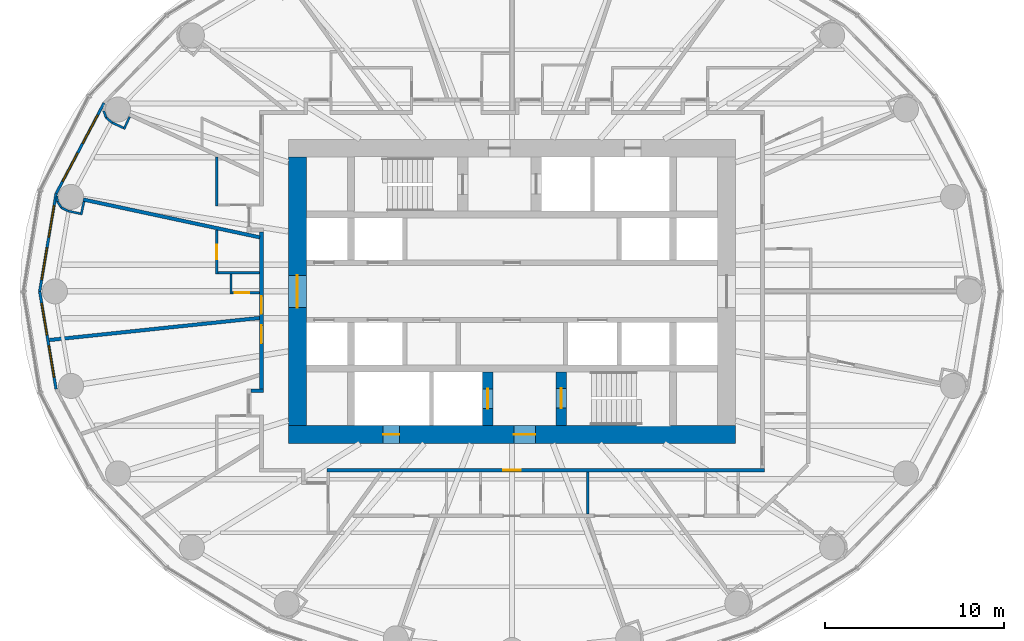
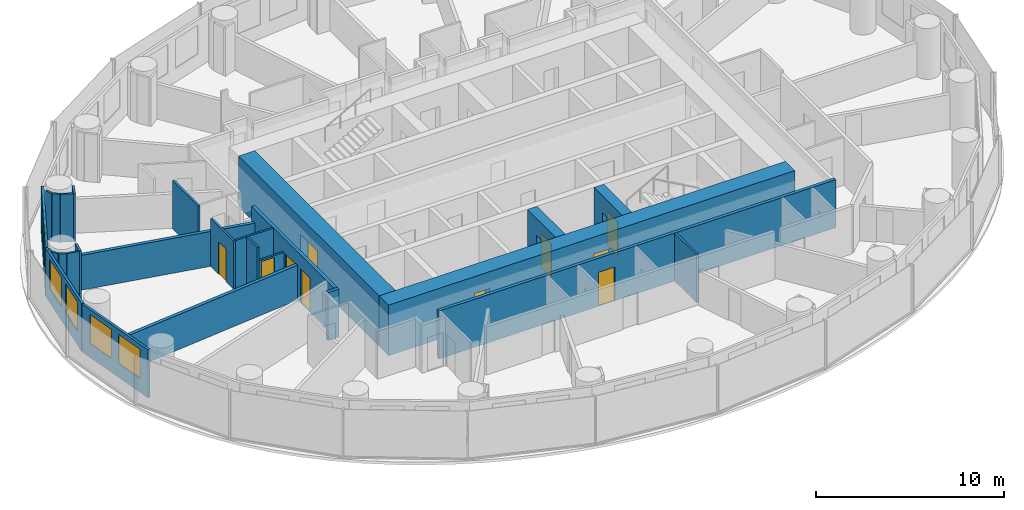
# One storey, part 7 of 14: 27 walls, 10 doors, 6 windows, 16 openings.
"""IFC4 building model written with IfcOpenShell, lengths in metres."""

from ifc_helpers import new_model, si_unit, direction, frame, frame_2d, origin, place, context, subcontext, project, spatial, rectangle, extrude, material, layer, layer_set, type_object, element, fill, save


model = new_model("IFC4")

# Units and contexts
model_context = context("Model", 3, precision=1e-05, world=origin(), true_north=direction((0.0, 1.0)))
body_context = subcontext(model_context, "Body", "Model", "MODEL_VIEW")
ifc_project = project(units=[si_unit("LENGTHUNIT", "METRE"), si_unit("AREAUNIT", "SQUARE_METRE"), si_unit("VOLUMEUNIT", "CUBIC_METRE"), si_unit("PLANEANGLEUNIT", "RADIAN"), si_unit("MASSUNIT", "GRAM", prefix="KILO")], contexts=[model_context])

# Site, building, storey
site_placement = place(None, origin())
site = spatial("IfcSite", under=ifc_project, at=site_placement, CompositionType="ELEMENT")
building_placement = place(site_placement, origin())
building = spatial("IfcBuilding", under=site, at=building_placement, Name="Hankou Lantern Tower", CompositionType="ELEMENT")
storey_placement = place(building_placement, frame((0.0, 0.0, 87.0)))
storey = spatial("IfcBuildingStorey", under=building, at=storey_placement, Name="L22", CompositionType="ELEMENT", Elevation=87.0)

# Wall, openings, doors
ifc_material_1 = material(Name="Concrete C60", Category="concrete")
ifc_layer_1 = layer(ifc_material_1, 1.0)
ifc_layer_set_1 = layer_set([ifc_layer_1], Name="Concrete C60")
wall_type_1 = type_object("IfcWallType", Name="CW1 CORE WALL 1000", PredefinedType="SHEAR", material=ifc_layer_set_1)
wall_1_placement = place(storey_placement, frame((12.5, -8.0, 0.0), z_axis=(0.0, 0.0, 1.0), x_axis=(-1.0, 0.0, 0.0)))
wall_1 = element("IfcWall", 1, at=wall_1_placement, inside=storey, type_object=wall_type_1, Name="Core wall south L22", PredefinedType="SHEAR", context=body_context, shape_type="SweptSolid", body=[
    extrude(rectangle(XDim=25.0, YDim=1.0, at=frame_2d((12.5, 0.0))), origin(), (0.0, 0.0, 1.0), 3.300048828125),
])
opening_1_placement = place(wall_1_placement, frame((11.199951171875, 0.0, 0.0)))
opening_1 = element("IfcOpeningElement", 2, at=opening_1_placement, cuts=wall_1, Name="Opening D5", PredefinedType="OPENING", context=body_context, shape_type="SweptSolid", body=[
    extrude(rectangle(XDim=1.199951171875, YDim=2.199951171875, at=frame_2d((0.60009765625, 1.10009765625))), frame((0.0, 0.510009765625, 0.0), z_axis=(0.0, -1.0, 0.0), x_axis=(1.0, 0.0, 0.0)), (0.0, 0.0, 1.0), 1.02001953125),
])
opening_2_placement = place(wall_1_placement, frame((18.800048828125, 0.0, 0.0)))
opening_2 = element("IfcOpeningElement", 3, at=opening_2_placement, cuts=wall_1, Name="Opening D7", PredefinedType="OPENING", context=body_context, shape_type="SweptSolid", body=[
    extrude(rectangle(XDim=0.89990234375, YDim=2.199951171875, at=frame_2d((0.449951171875, 1.10009765625))), frame((0.0, 0.510009765625, 0.0), z_axis=(0.0, -1.0, 0.0), x_axis=(1.0, 0.0, 0.0)), (0.0, 0.0, 1.0), 1.02001953125),
])
ifc_material_2 = material(Name="Steel door leaf", Category="steel")
door_type_1 = type_object("IfcDoorType", Name="D5 STAIR LOBBY DOOR 1200X2200", OperationType="SINGLE_SWING_LEFT", PredefinedType="DOOR", material=ifc_material_2)
door_1_placement = place(opening_1_placement, origin())
door_1 = element("IfcDoor", 4, at=door_1_placement, inside=storey, type_object=door_type_1, Name="Stair B lobby door", OperationType="SINGLE_SWING_LEFT", OverallHeight=2.199951171875, OverallWidth=1.199951171875, PredefinedType="DOOR", context=body_context, shape_type="SweptSolid", body=[
    extrude(rectangle(XDim=1.199951171875, YDim=2.199951171875, at=frame_2d((0.60009765625, 1.10009765625))), frame((0.0, 0.02490234375, 0.0), z_axis=(0.0, -1.0, 0.0), x_axis=(1.0, 0.0, 0.0)), (0.0, 0.0, 1.0), 0.050048828125),
])
fill(opening_1, door_1)
ifc_material_3 = material(Name="Steel door leaf", Category="steel")
door_type_2 = type_object("IfcDoorType", Name="D7 RISER DOOR 900X2200", OperationType="SINGLE_SWING_LEFT", PredefinedType="DOOR", material=ifc_material_3)
door_2_placement = place(opening_2_placement, origin())
door_2 = element("IfcDoor", 5, at=door_2_placement, inside=storey, type_object=door_type_2, Name="Riser S1 door", OperationType="SINGLE_SWING_RIGHT", OverallHeight=2.199951171875, OverallWidth=0.89990234375, PredefinedType="DOOR", context=body_context, shape_type="SweptSolid", body=[
    extrude(rectangle(XDim=0.89990234375, YDim=2.199951171875, at=frame_2d((0.449951171875, 1.10009765625))), frame((0.0, 0.02490234375, 0.0), z_axis=(0.0, -1.0, 0.0), x_axis=(1.0, 0.0, 0.0)), (0.0, 0.0, 1.0), 0.050048828125),
])
fill(opening_2, door_2)

# Wall, opening, door
wall_2_placement = place(storey_placement, frame((-12.0, 7.5, 0.0), z_axis=(0.0, 0.0, 1.0), x_axis=(0.0, -1.0, 0.0)))
wall_2 = element("IfcWall", 6, at=wall_2_placement, inside=storey, type_object=wall_type_1, Name="Core wall west L22", PredefinedType="SHEAR", context=body_context, shape_type="SweptSolid", body=[
    extrude(rectangle(XDim=15.0, YDim=1.0, at=frame_2d((7.5, 0.0))), origin(), (0.0, 0.0, 1.0), 3.300048828125),
])
opening_3_placement = place(wall_2_placement, frame((6.60009765625, 0.0, 0.0)))
opening_3 = element("IfcOpeningElement", 7, at=opening_3_placement, cuts=wall_2, Name="Opening D6", PredefinedType="OPENING", context=body_context, shape_type="SweptSolid", body=[
    extrude(rectangle(XDim=1.800048828125, YDim=2.199951171875, at=frame_2d((0.89990234375, 1.10009765625))), frame((0.0, 0.510009765625, 0.0), z_axis=(0.0, -1.0, 0.0), x_axis=(1.0, 0.0, 0.0)), (0.0, 0.0, 1.0), 1.02001953125),
])
ifc_material_4 = material(Name="Steel door leaf", Category="steel")
door_type_3 = type_object("IfcDoorType", Name="D6 LIFT LOBBY DOOR 1800X2200", OperationType="DOUBLE_DOOR_DOUBLE_SWING", PredefinedType="DOOR", material=ifc_material_4)
door_3_placement = place(opening_3_placement, origin())
door_3 = element("IfcDoor", 8, at=door_3_placement, inside=storey, type_object=door_type_3, Name="Lift lobby west door", OperationType="DOUBLE_DOOR_DOUBLE_SWING", OverallHeight=2.199951171875, OverallWidth=1.800048828125, PredefinedType="DOOR", context=body_context, shape_type="SweptSolid", body=[
    extrude(rectangle(XDim=1.800048828125, YDim=2.199951171875, at=frame_2d((0.89990234375, 1.10009765625))), frame((0.0, 0.02490234375, 0.0), z_axis=(0.0, -1.0, 0.0), x_axis=(1.0, 0.0, 0.0)), (0.0, 0.0, 1.0), 0.050048828125),
])
fill(opening_3, door_3)

ifc_material_5 = material(Name="Concrete C60", Category="concrete")
ifc_layer_2 = layer(ifc_material_5, 0.60009765625)
ifc_layer_set_2 = layer_set([ifc_layer_2], Name="Concrete C60")
wall_type_2 = type_object("IfcWallType", Name="CW6 STAIR AND SHAFT WALL 600", PredefinedType="SHEAR", material=ifc_layer_set_2)
wall_3_placement = place(storey_placement, frame((2.75, -7.5, 0.0), z_axis=(0.0, 0.0, 1.0), x_axis=(0.0, 1.0, 0.0)))
wall_3 = element("IfcWall", 9, at=wall_3_placement, inside=storey, type_object=wall_type_2, Name="Stair wall L22", PredefinedType="SHEAR", context=body_context, shape_type="SweptSolid", body=[
    extrude(rectangle(XDim=3.0, YDim=0.60009765625, at=frame_2d((1.5, 0.0))), origin(), (0.0, 0.0, 1.0), 3.300048828125),
])
opening_4_placement = place(wall_3_placement, frame((0.97509765625, 0.0, 0.0)))
opening_4 = element("IfcOpeningElement", 10, at=opening_4_placement, cuts=wall_3, Name="Opening D4", PredefinedType="OPENING", context=body_context, shape_type="SweptSolid", body=[
    extrude(rectangle(XDim=1.10009765625, YDim=2.199951171875, at=frame_2d((0.550048828125, 1.10009765625))), frame((0.0, 0.31005859375, 0.0), z_axis=(0.0, -1.0, 0.0), x_axis=(1.0, 0.0, 0.0)), (0.0, 0.0, 1.0), 0.6201171875),
])
ifc_material_6 = material(Name="Steel door leaf", Category="steel")
door_type_4 = type_object("IfcDoorType", Name="D4 STAIR DOOR 1100X2200", OperationType="SINGLE_SWING_LEFT", PredefinedType="DOOR", material=ifc_material_6)
door_4_placement = place(opening_4_placement, origin())
door_4 = element("IfcDoor", 11, at=door_4_placement, inside=storey, type_object=door_type_4, Name="Stair B door", OperationType="SINGLE_SWING_RIGHT", OverallHeight=2.199951171875, OverallWidth=1.10009765625, PredefinedType="DOOR", context=body_context, shape_type="SweptSolid", body=[
    extrude(rectangle(XDim=1.10009765625, YDim=2.199951171875, at=frame_2d((0.550048828125, 1.10009765625))), frame((0.0, 0.02490234375, 0.0), z_axis=(0.0, -1.0, 0.0), x_axis=(1.0, 0.0, 0.0)), (0.0, 0.0, 1.0), 0.050048828125),
])
fill(opening_4, door_4)

wall_4_placement = place(storey_placement, frame((-1.35009765625, -7.5, 0.0), z_axis=(0.0, 0.0, 1.0), x_axis=(0.0, 1.0, 0.0)))
wall_4 = element("IfcWall", 12, at=wall_4_placement, inside=storey, type_object=wall_type_2, Name="Firefighting lift shaft wall L22", PredefinedType="SHEAR", context=body_context, shape_type="SweptSolid", body=[
    extrude(rectangle(XDim=3.0, YDim=0.60009765625, at=frame_2d((1.5, 0.0))), origin(), (0.0, 0.0, 1.0), 3.300048828125),
])
opening_5_placement = place(wall_4_placement, frame((0.949951171875, 0.0, 0.0)))
opening_5 = element("IfcOpeningElement", 13, at=opening_5_placement, cuts=wall_4, Name="Opening LD2", PredefinedType="OPENING", context=body_context, shape_type="SweptSolid", body=[
    extrude(rectangle(XDim=1.10009765625, YDim=2.199951171875, at=frame_2d((0.550048828125, 1.10009765625))), frame((0.0, 0.31005859375, 0.0), z_axis=(0.0, -1.0, 0.0), x_axis=(1.0, 0.0, 0.0)), (0.0, 0.0, 1.0), 0.6201171875),
])
ifc_material_7 = material(Name="Steel door leaf", Category="steel")
door_type_5 = type_object("IfcDoorType", Name="LD2 FIREFIGHTING LIFT LANDING DOOR 1100X2200", OperationType="DOUBLE_DOOR_SLIDING", PredefinedType="DOOR", material=ifc_material_7)
door_5_placement = place(opening_5_placement, origin())
door_5 = element("IfcDoor", 14, at=door_5_placement, inside=storey, type_object=door_type_5, Name="Firefighting lift FL2 landing door", OperationType="DOUBLE_DOOR_SLIDING", OverallHeight=2.199951171875, OverallWidth=1.10009765625, PredefinedType="DOOR", context=body_context, shape_type="SweptSolid", body=[
    extrude(rectangle(XDim=1.10009765625, YDim=2.199951171875, at=frame_2d((0.550048828125, 1.10009765625))), frame((0.0, 0.02490234375, 0.0), z_axis=(0.0, -1.0, 0.0), x_axis=(1.0, 0.0, 0.0)), (0.0, 0.0, 1.0), 0.050048828125),
])
fill(opening_5, door_5)

# Wall, openings, windows
ifc_material_8 = material(Name="Aluminium spandrel panel on steel studs", Category="steel")
ifc_layer_3 = layer(ifc_material_8, 0.14990234375)
ifc_layer_set_3 = layer_set([ifc_layer_3], Name="Aluminium spandrel panel on steel studs")
wall_type_3 = type_object("IfcWallType", Name="EW1 INNER SKIN WALL 150", PredefinedType="ELEMENTEDWALL", material=ifc_layer_set_3)
wall_5_placement = place(storey_placement, frame((-22.802734375, 10.5322265625, 0.0), z_axis=(0.0, 0.0, 1.0), x_axis=(-0.467296867008, -0.884100468321, 0.0)))
wall_5 = element("IfcWall", 15, at=wall_5_placement, inside=storey, type_object=wall_type_3, Name="Inner skin R11-R12 L22", PredefinedType="ELEMENTEDWALL", context=body_context, shape_type="SweptSolid", body=[
    extrude(rectangle(XDim=5.734375, YDim=0.14990234375, at=frame_2d((2.8671875, 0.0))), origin(), (0.0, 0.0, 1.0), 3.1201171875),
])
opening_6_placement = place(wall_5_placement, frame((0.76708984375, 0.0, 0.89990234375)))
opening_6 = element("IfcOpeningElement", 16, at=opening_6_placement, cuts=wall_5, Name="Opening W1", PredefinedType="OPENING", context=body_context, shape_type="SweptSolid", body=[
    extrude(rectangle(XDim=1.800048828125, YDim=1.89990234375, at=frame_2d((0.89990234375, 0.949951171875))), frame((0.0, 0.0849609375, 0.0), z_axis=(0.0, -1.0, 0.0), x_axis=(1.0, 0.0, 0.0)), (0.0, 0.0, 1.0), 0.169921875),
])
opening_7_placement = place(wall_5_placement, frame((3.167236328125, 0.0, 0.89990234375)))
opening_7 = element("IfcOpeningElement", 17, at=opening_7_placement, cuts=wall_5, Name="Opening W1", PredefinedType="OPENING", context=body_context, shape_type="SweptSolid", body=[
    extrude(rectangle(XDim=1.800048828125, YDim=1.89990234375, at=frame_2d((0.89990234375, 0.949951171875))), frame((0.0, 0.0849609375, 0.0), z_axis=(0.0, -1.0, 0.0), x_axis=(1.0, 0.0, 0.0)), (0.0, 0.0, 1.0), 0.169921875),
])
ifc_material_9 = material(Name="Aluminium framed double glazed window", Category="aluminium")
window_type = type_object("IfcWindowType", Name="W1 GUEST ROOM WINDOW 1800X1900", PartitioningType="DOUBLE_PANEL_VERTICAL", PredefinedType="WINDOW", material=ifc_material_9)
window_1_placement = place(opening_6_placement, origin())
window_1 = element("IfcWindow", 18, at=window_1_placement, inside=storey, type_object=window_type, Name="Window R11.1 L22", OverallHeight=1.89990234375, OverallWidth=1.800048828125, PartitioningType="SINGLE_PANEL", PredefinedType="WINDOW", context=body_context, shape_type="SweptSolid", body=[
    extrude(rectangle(XDim=1.800048828125, YDim=1.89990234375, at=frame_2d((0.89990234375, 0.949951171875))), frame((0.0, 0.030029296875, 0.0), z_axis=(0.0, -1.0, 0.0), x_axis=(1.0, 0.0, 0.0)), (0.0, 0.0, 1.0), 0.06005859375),
])
fill(opening_6, window_1)
window_2_placement = place(opening_7_placement, origin())
window_2 = element("IfcWindow", 19, at=window_2_placement, inside=storey, type_object=window_type, Name="Window R11.2 L22", OverallHeight=1.89990234375, OverallWidth=1.800048828125, PartitioningType="SINGLE_PANEL", PredefinedType="WINDOW", context=body_context, shape_type="SweptSolid", body=[
    extrude(rectangle(XDim=1.800048828125, YDim=1.89990234375, at=frame_2d((0.89990234375, 0.949951171875))), frame((0.0, 0.030029296875, 0.0), z_axis=(0.0, -1.0, 0.0), x_axis=(1.0, 0.0, 0.0)), (0.0, 0.0, 1.0), 0.06005859375),
])
fill(opening_7, window_2)

wall_6_placement = place(storey_placement, frame((-25.482421875, 5.46240234375, 0.0), z_axis=(0.0, 0.0, 1.0), x_axis=(-0.165642551694, -0.986185857264, 0.0)))
wall_6 = element("IfcWall", 20, at=wall_6_placement, inside=storey, type_object=wall_type_3, Name="Inner skin R12-R13 L22", PredefinedType="ELEMENTEDWALL", context=body_context, shape_type="SweptSolid", body=[
    extrude(rectangle(XDim=5.538818359375, YDim=0.14990234375, at=frame_2d((2.76953125, 0.0))), origin(), (0.0, 0.0, 1.0), 3.1201171875),
])
opening_8_placement = place(wall_6_placement, frame((0.66943359375, 0.0, 0.89990234375)))
opening_8 = element("IfcOpeningElement", 21, at=opening_8_placement, cuts=wall_6, Name="Opening W1", PredefinedType="OPENING", context=body_context, shape_type="SweptSolid", body=[
    extrude(rectangle(XDim=1.800048828125, YDim=1.89990234375, at=frame_2d((0.89990234375, 0.949951171875))), frame((0.0, 0.0849609375, 0.0), z_axis=(0.0, -1.0, 0.0), x_axis=(1.0, 0.0, 0.0)), (0.0, 0.0, 1.0), 0.169921875),
])
opening_9_placement = place(wall_6_placement, frame((3.069580078125, 0.0, 0.89990234375)))
opening_9 = element("IfcOpeningElement", 22, at=opening_9_placement, cuts=wall_6, Name="Opening W1", PredefinedType="OPENING", context=body_context, shape_type="SweptSolid", body=[
    extrude(rectangle(XDim=1.800048828125, YDim=1.89990234375, at=frame_2d((0.89990234375, 0.949951171875))), frame((0.0, 0.0849609375, 0.0), z_axis=(0.0, -1.0, 0.0), x_axis=(1.0, 0.0, 0.0)), (0.0, 0.0, 1.0), 0.169921875),
])
window_3_placement = place(opening_8_placement, origin())
window_3 = element("IfcWindow", 23, at=window_3_placement, inside=storey, type_object=window_type, Name="Window R12.1 L22", OverallHeight=1.89990234375, OverallWidth=1.800048828125, PartitioningType="SINGLE_PANEL", PredefinedType="WINDOW", context=body_context, shape_type="SweptSolid", body=[
    extrude(rectangle(XDim=1.800048828125, YDim=1.89990234375, at=frame_2d((0.89990234375, 0.949951171875))), frame((0.0, 0.030029296875, 0.0), z_axis=(0.0, -1.0, 0.0), x_axis=(1.0, 0.0, 0.0)), (0.0, 0.0, 1.0), 0.06005859375),
])
fill(opening_8, window_3)
window_4_placement = place(opening_9_placement, origin())
window_4 = element("IfcWindow", 24, at=window_4_placement, inside=storey, type_object=window_type, Name="Window R12.2 L22", OverallHeight=1.89990234375, OverallWidth=1.800048828125, PartitioningType="SINGLE_PANEL", PredefinedType="WINDOW", context=body_context, shape_type="SweptSolid", body=[
    extrude(rectangle(XDim=1.800048828125, YDim=1.89990234375, at=frame_2d((0.89990234375, 0.949951171875))), frame((0.0, 0.030029296875, 0.0), z_axis=(0.0, -1.0, 0.0), x_axis=(1.0, 0.0, 0.0)), (0.0, 0.0, 1.0), 0.06005859375),
])
fill(opening_9, window_4)

wall_7_placement = place(storey_placement, frame((-26.39990234375, 0.0, 0.0), z_axis=(0.0, 0.0, 1.0), x_axis=(0.165642551694, -0.986185857264, 0.0)))
wall_7 = element("IfcWall", 25, at=wall_7_placement, inside=storey, type_object=wall_type_3, Name="Inner skin R13-R14 L22", PredefinedType="ELEMENTEDWALL", context=body_context, shape_type="SweptSolid", body=[
    extrude(rectangle(XDim=5.538818359375, YDim=0.14990234375, at=frame_2d((2.76953125, 0.0))), origin(), (0.0, 0.0, 1.0), 3.1201171875),
])
opening_10_placement = place(wall_7_placement, frame((0.66943359375, 0.0, 0.89990234375)))
opening_10 = element("IfcOpeningElement", 26, at=opening_10_placement, cuts=wall_7, Name="Opening W1", PredefinedType="OPENING", context=body_context, shape_type="SweptSolid", body=[
    extrude(rectangle(XDim=1.800048828125, YDim=1.89990234375, at=frame_2d((0.89990234375, 0.949951171875))), frame((0.0, 0.0849609375, 0.0), z_axis=(0.0, -1.0, 0.0), x_axis=(1.0, 0.0, 0.0)), (0.0, 0.0, 1.0), 0.169921875),
])
opening_11_placement = place(wall_7_placement, frame((3.069580078125, 0.0, 0.89990234375)))
opening_11 = element("IfcOpeningElement", 27, at=opening_11_placement, cuts=wall_7, Name="Opening W1", PredefinedType="OPENING", context=body_context, shape_type="SweptSolid", body=[
    extrude(rectangle(XDim=1.800048828125, YDim=1.89990234375, at=frame_2d((0.89990234375, 0.949951171875))), frame((0.0, 0.0849609375, 0.0), z_axis=(0.0, -1.0, 0.0), x_axis=(1.0, 0.0, 0.0)), (0.0, 0.0, 1.0), 0.169921875),
])
window_5_placement = place(opening_10_placement, origin())
window_5 = element("IfcWindow", 28, at=window_5_placement, inside=storey, type_object=window_type, Name="Window R13.1 L22", OverallHeight=1.89990234375, OverallWidth=1.800048828125, PartitioningType="SINGLE_PANEL", PredefinedType="WINDOW", context=body_context, shape_type="SweptSolid", body=[
    extrude(rectangle(XDim=1.800048828125, YDim=1.89990234375, at=frame_2d((0.89990234375, 0.949951171875))), frame((0.0, 0.030029296875, 0.0), z_axis=(0.0, -1.0, 0.0), x_axis=(1.0, 0.0, 0.0)), (0.0, 0.0, 1.0), 0.06005859375),
])
fill(opening_10, window_5)
window_6_placement = place(opening_11_placement, origin())
window_6 = element("IfcWindow", 29, at=window_6_placement, inside=storey, type_object=window_type, Name="Window R13.2 L22", OverallHeight=1.89990234375, OverallWidth=1.800048828125, PartitioningType="SINGLE_PANEL", PredefinedType="WINDOW", context=body_context, shape_type="SweptSolid", body=[
    extrude(rectangle(XDim=1.800048828125, YDim=1.89990234375, at=frame_2d((0.89990234375, 0.949951171875))), frame((0.0, 0.030029296875, 0.0), z_axis=(0.0, -1.0, 0.0), x_axis=(1.0, 0.0, 0.0)), (0.0, 0.0, 1.0), 0.06005859375),
])
fill(opening_11, window_6)

# Walls
ifc_material_10 = material(Name="Masonry lightweight concrete block", Category="masonry")
ifc_layer_4 = layer(ifc_material_10, 0.199951171875)
ifc_layer_set_4 = layer_set([ifc_layer_4], Name="Masonry lightweight concrete block")
wall_type_4 = type_object("IfcWallType", Name="IW1 GUEST ROOM PARTY WALL 200", PredefinedType="PARTITIONING", material=ifc_layer_set_4)
wall_8_placement = place(storey_placement, frame((-14.10009765625, 3.0224609375, 0.0), z_axis=(0.0, 0.0, 1.0), x_axis=(-0.977790014929, 0.209586943072, 0.0)))
element("IfcWall", 30, at=wall_8_placement, inside=storey, type_object=wall_type_4, Name="Party wall R12", PredefinedType="PARTITIONING", context=body_context, shape_type="SweptSolid", body=[
    extrude(rectangle(XDim=10.086669921875, YDim=0.199951171875, at=frame_2d((5.04345703125, 0.0))), origin(), (0.0, 0.0, 1.0), 2.27001953125),
])
ifc_material_11 = material(Name="Masonry lightweight concrete block", Category="masonry")
ifc_layer_5 = layer(ifc_material_11, 0.199951171875)
ifc_layer_set_5 = layer_set([ifc_layer_5], Name="Masonry lightweight concrete block")
wall_type_5 = type_object("IfcWallType", Name="IW2 CORRIDOR WALL 200", PredefinedType="PARTITIONING", material=ifc_layer_set_5)
wall_9_placement = place(storey_placement, frame((-13.89990234375, -5.55908203125, 0.0), z_axis=(0.0, 0.0, 1.0), x_axis=(-1.0, 0.0, 0.0)))
element("IfcWall", 31, at=wall_9_placement, inside=storey, type_object=wall_type_5, Name="Corridor recess wall 2204 side", PredefinedType="PARTITIONING", context=body_context, shape_type="SweptSolid", body=[
    extrude(rectangle(XDim=0.7001953125, YDim=0.199951171875, at=frame_2d((0.35009765625, 0.0))), origin(), (0.0, 0.0, 1.0), 3.1201171875),
])

# Wall, openings, doors
wall_10_placement = place(storey_placement, frame((-14.0, 3.33251953125, 0.0), z_axis=(0.0, 0.0, 1.0), x_axis=(0.0, -1.0, 0.0)))
wall_10 = element("IfcWall", 32, at=wall_10_placement, inside=storey, type_object=wall_type_5, Name="Corridor wall west", PredefinedType="PARTITIONING", context=body_context, shape_type="SweptSolid", body=[
    extrude(rectangle(XDim=8.79150390625, YDim=0.199951171875, at=frame_2d((4.395751953125, 0.0))), origin(), (0.0, 0.0, 1.0), 3.1201171875),
])
opening_12_placement = place(wall_10_placement, frame((3.590087890625, 0.0, 0.0)))
opening_12 = element("IfcOpeningElement", 33, at=opening_12_placement, cuts=wall_10, Name="Opening D1", PredefinedType="OPENING", context=body_context, shape_type="SweptSolid", body=[
    extrude(rectangle(XDim=1.0, YDim=2.199951171875, at=frame_2d((0.5, 1.10009765625))), frame((0.0, 0.10986328125, 0.0), z_axis=(0.0, -1.0, 0.0), x_axis=(1.0, 0.0, 0.0)), (0.0, 0.0, 1.0), 0.219970703125),
])
opening_13_placement = place(wall_10_placement, frame((5.234375, 0.0, 0.0)))
opening_13 = element("IfcOpeningElement", 34, at=opening_13_placement, cuts=wall_10, Name="Opening D28", PredefinedType="OPENING", context=body_context, shape_type="SweptSolid", body=[
    extrude(rectangle(XDim=1.0, YDim=2.199951171875, at=frame_2d((0.5, 1.10009765625))), frame((0.0, 0.10986328125, 0.0), z_axis=(0.0, -1.0, 0.0), x_axis=(1.0, 0.0, 0.0)), (0.0, 0.0, 1.0), 0.219970703125),
])
ifc_material_12 = material(Name="Steel door leaf", Category="steel")
door_type_6 = type_object("IfcDoorType", Name="D1 GUEST ROOM DOOR 1000X2200", OperationType="SINGLE_SWING_LEFT", PredefinedType="DOOR", material=ifc_material_12)
door_6_placement = place(opening_12_placement, origin())
door_6 = element("IfcDoor", 35, at=door_6_placement, inside=storey, type_object=door_type_6, Name="Guest room door 2202", OperationType="SINGLE_SWING_LEFT", OverallHeight=2.199951171875, OverallWidth=1.0, PredefinedType="DOOR", context=body_context, shape_type="SweptSolid", body=[
    extrude(rectangle(XDim=1.0, YDim=2.199951171875, at=frame_2d((0.5, 1.10009765625))), frame((0.0, 0.02490234375, 0.0), z_axis=(0.0, -1.0, 0.0), x_axis=(1.0, 0.0, 0.0)), (0.0, 0.0, 1.0), 0.050048828125),
])
fill(opening_12, door_6)
ifc_material_13 = material(Name="Steel door leaf", Category="steel")
door_type_7 = type_object("IfcDoorType", Name="D28 SERVICE DOOR 1000X2200", OperationType="SINGLE_SWING_LEFT", PredefinedType="DOOR", material=ifc_material_13)
door_7_placement = place(opening_13_placement, origin())
door_7 = element("IfcDoor", 36, at=door_7_placement, inside=storey, type_object=door_type_7, Name="Service door 2203", OperationType="SINGLE_SWING_RIGHT", OverallHeight=2.199951171875, OverallWidth=1.0, PredefinedType="DOOR", context=body_context, shape_type="SweptSolid", body=[
    extrude(rectangle(XDim=1.0, YDim=2.199951171875, at=frame_2d((0.5, 1.10009765625))), frame((0.0, 0.02490234375, 0.0), z_axis=(0.0, -1.0, 0.0), x_axis=(1.0, 0.0, 0.0)), (0.0, 0.0, 1.0), 0.050048828125),
])
fill(opening_13, door_7)

# Wall, opening, door
wall_11_placement = place(storey_placement, frame((14.10009765625, -10.0, 0.0), z_axis=(0.0, 0.0, 1.0), x_axis=(-1.0, 0.0, 0.0)))
wall_11 = element("IfcWall", 37, at=wall_11_placement, inside=storey, type_object=wall_type_5, Name="Corridor wall south", PredefinedType="PARTITIONING", context=body_context, shape_type="SweptSolid", body=[
    extrude(rectangle(XDim=24.42919921875, YDim=0.199951171875, at=frame_2d((12.214599609375, 0.0))), origin(), (0.0, 0.0, 1.0), 3.1201171875),
])
opening_14_placement = place(wall_11_placement, frame((13.597412109375, 0.0, 0.0)))
opening_14 = element("IfcOpeningElement", 38, at=opening_14_placement, cuts=wall_11, Name="Opening D2", PredefinedType="OPENING", context=body_context, shape_type="SweptSolid", body=[
    extrude(rectangle(XDim=1.0, YDim=2.199951171875, at=frame_2d((0.5, 1.10009765625))), frame((0.0, 0.10986328125, 0.0), z_axis=(0.0, -1.0, 0.0), x_axis=(1.0, 0.0, 0.0)), (0.0, 0.0, 1.0), 0.219970703125),
])
ifc_material_14 = material(Name="Steel door leaf", Category="steel")
door_type_8 = type_object("IfcDoorType", Name="D2 SUITE DOOR 1000X2200", OperationType="SINGLE_SWING_LEFT", PredefinedType="DOOR", material=ifc_material_14)
door_8_placement = place(opening_14_placement, origin())
door_8 = element("IfcDoor", 39, at=door_8_placement, inside=storey, type_object=door_type_8, Name="Suite door 2206", OperationType="SINGLE_SWING_RIGHT", OverallHeight=2.199951171875, OverallWidth=1.0, PredefinedType="DOOR", context=body_context, shape_type="SweptSolid", body=[
    extrude(rectangle(XDim=1.0, YDim=2.199951171875, at=frame_2d((0.5, 1.10009765625))), frame((0.0, 0.02490234375, 0.0), z_axis=(0.0, -1.0, 0.0), x_axis=(1.0, 0.0, 0.0)), (0.0, 0.0, 1.0), 0.050048828125),
])
fill(opening_14, door_8)

# Wall
ifc_material_15 = material(Name="Masonry lightweight concrete block", Category="masonry")
ifc_layer_6 = layer(ifc_material_15, 0.1201171875)
ifc_layer_set_6 = layer_set([ifc_layer_6], Name="Masonry lightweight concrete block")
wall_type_6 = type_object("IfcWallType", Name="IW3 BATHROOM WALL 120", PredefinedType="PARTITIONING", material=ifc_layer_set_6)
wall_12_placement = place(storey_placement, frame((-16.5, 7.52099609375, 0.0), z_axis=(0.0, 0.0, 1.0), x_axis=(0.0, -1.0, 0.0)))
element("IfcWall", 40, at=wall_12_placement, inside=storey, type_object=wall_type_6, Name="Box wall 2201 1", PredefinedType="PARTITIONING", context=body_context, shape_type="SweptSolid", body=[
    extrude(rectangle(XDim=2.74853515625, YDim=0.1201171875, at=frame_2d((1.374267578125, 0.0))), origin(), (0.0, 0.0, 1.0), 3.1201171875),
])

# Wall, opening, door
wall_13_placement = place(storey_placement, frame((-16.5, 3.43701171875, 0.0), z_axis=(0.0, 0.0, 1.0), x_axis=(0.0, -1.0, 0.0)))
wall_13 = element("IfcWall", 41, at=wall_13_placement, inside=storey, type_object=wall_type_6, Name="Box wall 2202 1", PredefinedType="PARTITIONING", context=body_context, shape_type="SweptSolid", body=[
    extrude(rectangle(XDim=2.45458984375, YDim=0.1201171875, at=frame_2d((1.227294921875, 0.0))), origin(), (0.0, 0.0, 1.0), 3.1201171875),
])
opening_15_placement = place(wall_13_placement, frame((0.8271484375, 0.0, 0.0)))
opening_15 = element("IfcOpeningElement", 42, at=opening_15_placement, cuts=wall_13, Name="Opening D3", PredefinedType="OPENING", context=body_context, shape_type="SweptSolid", body=[
    extrude(rectangle(XDim=0.800048828125, YDim=2.10009765625, at=frame_2d((0.39990234375, 1.050048828125))), frame((0.0, 0.070068359375, 0.0), z_axis=(0.0, -1.0, 0.0), x_axis=(1.0, 0.0, 0.0)), (0.0, 0.0, 1.0), 0.14013671875),
])
ifc_material_16 = material(Name="Timber door leaf", Category="wood")
door_type_9 = type_object("IfcDoorType", Name="D3 BATHROOM DOOR 800X2100", OperationType="SINGLE_SWING_LEFT", PredefinedType="DOOR", material=ifc_material_16)
door_9_placement = place(opening_15_placement, origin())
door_9 = element("IfcDoor", 43, at=door_9_placement, inside=storey, type_object=door_type_9, Name="En-suite bathroom 2202 door", OperationType="SINGLE_SWING_LEFT", OverallHeight=2.10009765625, OverallWidth=0.800048828125, PredefinedType="DOOR", context=body_context, shape_type="SweptSolid", body=[
    extrude(rectangle(XDim=0.800048828125, YDim=2.10009765625, at=frame_2d((0.39990234375, 1.050048828125))), frame((0.0, 0.02490234375, 0.0), z_axis=(0.0, -1.0, 0.0), x_axis=(1.0, 0.0, 0.0)), (0.0, 0.0, 1.0), 0.050048828125),
])
fill(opening_15, door_9)

# Walls
wall_14_placement = place(storey_placement, frame((-14.10009765625, 1.04248046875, 0.0), z_axis=(0.0, 0.0, 1.0), x_axis=(-1.0, 0.0, 0.0)))
element("IfcWall", 44, at=wall_14_placement, inside=storey, type_object=wall_type_6, Name="Box wall 2202 1", PredefinedType="PARTITIONING", context=body_context, shape_type="SweptSolid", body=[
    extrude(rectangle(XDim=2.33984375, YDim=0.1201171875, at=frame_2d((1.169921875, 0.0))), origin(), (0.0, 0.0, 1.0), 3.1201171875),
])
wall_15_placement = place(storey_placement, frame((-15.699951171875, 0.982421875, 0.0), z_axis=(0.0, 0.0, 1.0), x_axis=(0.0, -1.0, 0.0)))
element("IfcWall", 45, at=wall_15_placement, inside=storey, type_object=wall_type_6, Name="Box wall 2202 2", PredefinedType="PARTITIONING", context=body_context, shape_type="SweptSolid", body=[
    extrude(rectangle(XDim=1.119873046875, YDim=0.1201171875, at=frame_2d((0.56005859375, 0.0))), origin(), (0.0, 0.0, 1.0), 3.1201171875),
])

# Wall, opening, door
wall_16_placement = place(storey_placement, frame((-14.10009765625, -0.07763671875, 0.0), z_axis=(0.0, 0.0, 1.0), x_axis=(-1.0, 0.0, 0.0)))
wall_16 = element("IfcWall", 46, at=wall_16_placement, inside=storey, type_object=wall_type_6, Name="Box wall 2202 2", PredefinedType="PARTITIONING", context=body_context, shape_type="SweptSolid", body=[
    extrude(rectangle(XDim=1.539794921875, YDim=0.1201171875, at=frame_2d((0.77001953125, 0.0))), origin(), (0.0, 0.0, 1.0), 2.219970703125),
])
opening_16_placement = place(wall_16_placement, frame((0.590087890625, 0.0, 0.0)))
opening_16 = element("IfcOpeningElement", 47, at=opening_16_placement, cuts=wall_16, Name="Opening D3", PredefinedType="OPENING", context=body_context, shape_type="SweptSolid", body=[
    extrude(rectangle(XDim=0.800048828125, YDim=2.10009765625, at=frame_2d((0.39990234375, 1.050048828125))), frame((0.0, 0.070068359375, 0.0), z_axis=(0.0, -1.0, 0.0), x_axis=(1.0, 0.0, 0.0)), (0.0, 0.0, 1.0), 0.14013671875),
])
door_10_placement = place(opening_16_placement, origin())
door_10 = element("IfcDoor", 48, at=door_10_placement, inside=storey, type_object=door_type_9, Name="En-suite WC 2202 door", OperationType="SINGLE_SWING_LEFT", OverallHeight=2.10009765625, OverallWidth=0.800048828125, PredefinedType="DOOR", context=body_context, shape_type="SweptSolid", body=[
    extrude(rectangle(XDim=0.800048828125, YDim=2.10009765625, at=frame_2d((0.39990234375, 1.050048828125))), frame((0.0, 0.02490234375, 0.0), z_axis=(0.0, -1.0, 0.0), x_axis=(1.0, 0.0, 0.0)), (0.0, 0.0, 1.0), 0.050048828125),
])
fill(opening_16, door_10)

# Walls
wall_17_placement = place(storey_placement, frame((4.231689453125, -10.10009765625, 0.0), z_axis=(0.0, 0.0, 1.0), x_axis=(0.0, -1.0, 0.0)))
element("IfcWall", 49, at=wall_17_placement, inside=storey, type_object=wall_type_6, Name="Box wall 2206 4", PredefinedType="PARTITIONING", context=body_context, shape_type="SweptSolid", body=[
    extrude(rectangle(XDim=2.349853515625, YDim=0.1201171875, at=frame_2d((1.1748046875, 0.0))), origin(), (0.0, 0.0, 1.0), 3.1201171875),
])
ifc_material_17 = material(Name="Masonry lightweight concrete block", Category="masonry")
ifc_layer_7 = layer(ifc_material_17, 0.1201171875)
ifc_layer_set_7 = layer_set([ifc_layer_7], Name="Masonry lightweight concrete block")
wall_type_7 = type_object("IfcWallType", Name="IW4 PARTITION 120", PredefinedType="PARTITIONING", material=ifc_layer_set_7)
wall_18_placement = place(storey_placement, frame((-21.37109375, 9.7607421875, 0.0), z_axis=(0.0, 0.0, 1.0), x_axis=(-0.419259891039, -0.907866258744, 0.0)))
element("IfcWall", 50, at=wall_18_placement, inside=storey, type_object=wall_type_7, Name="Column casing R11 return", PredefinedType="PARTITIONING", context=body_context, shape_type="SweptSolid", body=[
    extrude(rectangle(XDim=0.767578125, YDim=0.1201171875, at=frame_2d((0.3837890625, 0.0))), origin(), (0.0, 0.0, 1.0), 3.1201171875),
])
wall_19_placement = place(storey_placement, frame((-21.72216796875, 9.1435546875, 0.0), z_axis=(0.0, 0.0, 1.0), x_axis=(-0.907877701396, 0.419235112208, 0.0)))
element("IfcWall", 51, at=wall_19_placement, inside=storey, type_object=wall_type_7, Name="Column casing R11", PredefinedType="PARTITIONING", context=body_context, shape_type="SweptSolid", body=[
    extrude(rectangle(XDim=0.699951171875, YDim=0.1201171875, at=frame_2d((0.35009765625, 0.0))), origin(), (0.0, 0.0, 1.0), 3.1201171875),
])
wall_20_placement = place(storey_placement, frame((-22.357666015625, 9.43701171875, 0.0), z_axis=(0.0, 0.0, 1.0), x_axis=(-0.768412687942, 0.639954639806, 0.0)))
element("IfcWall", 52, at=wall_20_placement, inside=storey, type_object=wall_type_7, Name="Column casing R11", PredefinedType="PARTITIONING", context=body_context, shape_type="SweptSolid", body=[
    extrude(rectangle(XDim=0.418212890625, YDim=0.1201171875, at=frame_2d((0.208984375, 0.0))), origin(), (0.0, 0.0, 1.0), 3.1201171875),
])
wall_21_placement = place(storey_placement, frame((-22.678955078125, 9.70458984375, 0.0), z_axis=(0.0, 0.0, 1.0), x_axis=(-0.345164001646, 0.938542386879, 0.0)))
element("IfcWall", 53, at=wall_21_placement, inside=storey, type_object=wall_type_7, Name="Column casing R11", PredefinedType="PARTITIONING", context=body_context, shape_type="SweptSolid", body=[
    extrude(rectangle(XDim=0.41796875, YDim=0.1201171875, at=frame_2d((0.208984375, 0.0))), origin(), (0.0, 0.0, 1.0), 3.1201171875),
])
wall_22_placement = place(storey_placement, frame((-23.9248046875, 5.026123046875, 0.0), z_axis=(0.0, 0.0, 1.0), x_axis=(-0.209681192172, -0.977769808109, 0.0)))
element("IfcWall", 54, at=wall_22_placement, inside=storey, type_object=wall_type_7, Name="Column casing R12 return", PredefinedType="PARTITIONING", context=body_context, shape_type="SweptSolid", body=[
    extrude(rectangle(XDim=0.767333984375, YDim=0.1201171875, at=frame_2d((0.3837890625, 0.0))), origin(), (0.0, 0.0, 1.0), 3.1201171875),
])
wall_23_placement = place(storey_placement, frame((-24.1318359375, 4.346923828125, 0.0), z_axis=(0.0, 0.0, 1.0), x_axis=(-0.977776882509, 0.209648200638, 0.0)))
element("IfcWall", 55, at=wall_23_placement, inside=storey, type_object=wall_type_7, Name="Column casing R12", PredefinedType="PARTITIONING", context=body_context, shape_type="SweptSolid", body=[
    extrude(rectangle(XDim=0.699951171875, YDim=0.1201171875, at=frame_2d((0.35009765625, 0.0))), origin(), (0.0, 0.0, 1.0), 3.1201171875),
])
for number, where, z_axis, x_axis, name in (
    (56, (-24.816162109375, 4.49365234375, 0.0), (0.0, 0.0, 1.0), (-0.890303208847, 0.455368198623, 0.0), "Column casing R12"),
    (57, (-25.1884765625, 4.68408203125, 0.0), (0.0, 0.0, 1.0), (-0.543057568894, 0.839695466742, 0.0), "Column casing R12"),
):
    element("IfcWall", number, at=place(storey_placement, frame(where, z_axis=z_axis, x_axis=x_axis)), inside=storey, type_object=wall_type_7, Name=name, PredefinedType="PARTITIONING", context=body_context, shape_type="SweptSolid", body=[
        extrude(rectangle(XDim=0.418212890625, YDim=0.1201171875, at=frame_2d((0.208984375, 0.0))), origin(), (0.0, 0.0, 1.0), 3.1201171875),
    ])
wall_24_placement = place(storey_placement, frame((-25.41552734375, 5.03515625, 0.0), z_axis=(0.0, 0.0, 1.0), x_axis=(-0.050406329159, 0.998728793007, 0.0)))
element("IfcWall", 58, at=wall_24_placement, inside=storey, type_object=wall_type_7, Name="Column casing R12", PredefinedType="PARTITIONING", context=body_context, shape_type="SweptSolid", body=[
    extrude(rectangle(XDim=0.28564453125, YDim=0.1201171875, at=frame_2d((0.142822265625, 0.0))), origin(), (0.0, 0.0, 1.0), 3.1201171875),
])
ifc_material_18 = material(Name="Masonry lightweight concrete block", Category="masonry")
ifc_layer_8 = layer(ifc_material_18, 0.199951171875)
ifc_layer_set_8 = layer_set([ifc_layer_8], Name="Masonry lightweight concrete block")
wall_type_8 = type_object("IfcWallType", Name="IW8 PARTITION 200", PredefinedType="PARTITIONING", material=ifc_layer_set_8)
wall_25_placement = place(storey_placement, frame((-14.10009765625, -1.48193359375, 0.0), z_axis=(0.0, 0.0, 1.0), x_axis=(-0.994522076235, -0.104526742422, 0.0)))
element("IfcWall", 59, at=wall_25_placement, inside=storey, type_object=wall_type_8, Name="Partition R13-R14", PredefinedType="PARTITIONING", context=body_context, shape_type="SweptSolid", body=[
    extrude(rectangle(XDim=11.82080078125, YDim=0.199951171875, at=frame_2d((5.910400390625, 0.0))), origin(), (0.0, 0.0, 1.0), 2.27001953125),
])

save(model, "model.ifc")
